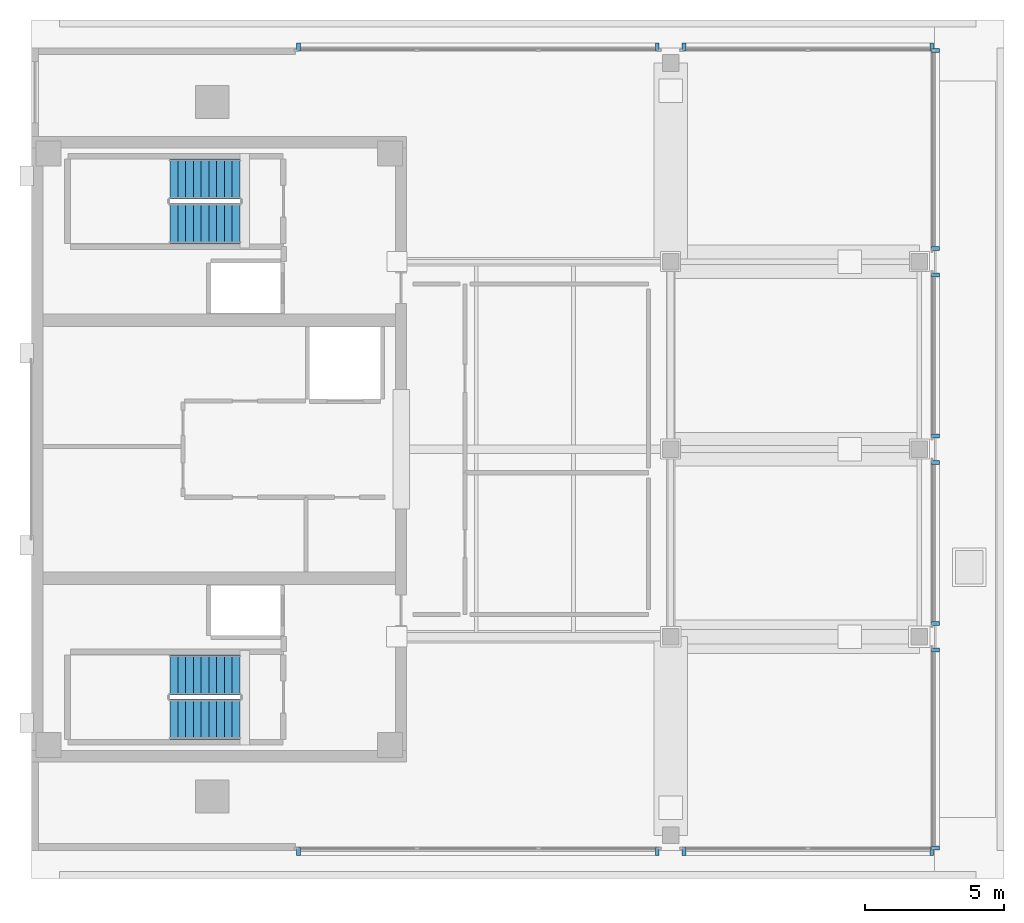
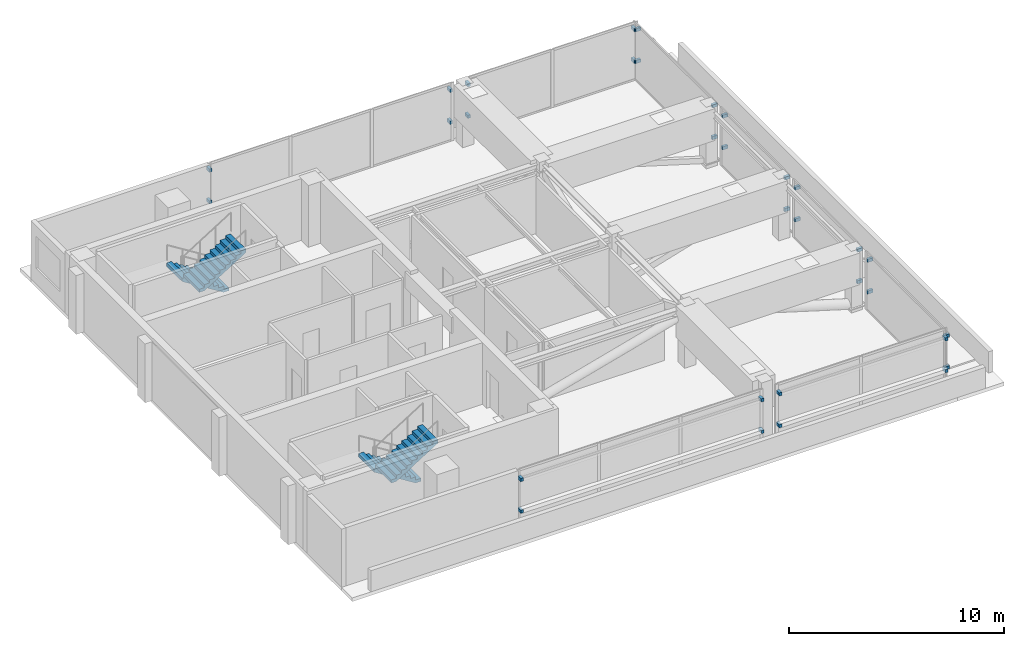
# One storey, part 6 of 10: 32 discrete accessories, 4 stair flights, 2 elements without a shape of their own.
"""IFC4 building model written with IfcOpenShell, lengths in metres."""

from ifc_helpers import new_model, si_unit, direction, frame, origin, origin_2d, place, context, subcontext, project, spatial, polyline, rectangle, outline, extrude, material, type_object, element, aggregate, save


model = new_model("IFC4")

# Units and contexts
model_context = context("Model", 3, precision=1e-05, world=origin(), true_north=direction((0.0, 1.0)))
body_context = subcontext(model_context, "Body", "Model", "MODEL_VIEW")
ifc_project = project(units=[si_unit("LENGTHUNIT", "METRE"), si_unit("AREAUNIT", "SQUARE_METRE"), si_unit("VOLUMEUNIT", "CUBIC_METRE"), si_unit("PLANEANGLEUNIT", "RADIAN"), si_unit("MASSUNIT", "GRAM", prefix="KILO")], contexts=[model_context])

# Site, building, storey
site_placement = place(None, origin())
site = spatial("IfcSite", under=ifc_project, at=site_placement, CompositionType="ELEMENT")
building_placement = place(site_placement, origin())
building = spatial("IfcBuilding", under=site, at=building_placement, Name="Kinhvarn Gate Tower", CompositionType="ELEMENT")
storey_placement = place(building_placement, frame((0.0, 0.0, 311.050048828125)))
storey = spatial("IfcBuildingStorey", under=building, at=storey_placement, Name="L82", CompositionType="ELEMENT", Elevation=311.050048828125)

# Stair, stair flights
ifc_material_1 = material(Name="Concrete C40/50", Category="concrete")
stair_type = type_object("IfcStairType", Name="STR-DLG-175", PredefinedType="HALF_TURN_STAIR", material=ifc_material_1)
stair_1_placement = place(storey_placement, origin())
stair_1 = element("IfcStair", 1, at=stair_1_placement, inside=storey, type_object=stair_type, Name="L82 Core Smokeproof Exit Stair ST1", PredefinedType="HALF_TURN_STAIR")
stair_flight_type = type_object("IfcStairFlightType", Name="STF-DLG-175", PredefinedType="STRAIGHT", material=ifc_material_1)
stair_flight_1_placement = place(storey_placement, frame((12.0, 17.125, 0.0), z_axis=(0.0, 0.0, 1.0), x_axis=(-1.0, 0.0, 0.0)))
stair_flight_1 = element("IfcStairFlight", 2, at=stair_flight_1_placement, type_object=stair_flight_type, Name="ST1 flight 1", NumberOfRisers=10, NumberOfTreads=9, PredefinedType="STRAIGHT", RiserHeight=0.175, TreadLength=0.28, context=body_context, shape_type="SweptSolid", body=[
    extrude(outline(polyline([(0.0, 0.0), (0.0, 0.175048828125), (0.280029296875, 0.175048828125), (0.280029296875, 0.35009765625), (0.56005859375, 0.35009765625), (0.56005859375, 0.52490234375), (0.840087890625, 0.52490234375), (0.840087890625, 0.699951171875), (1.1201171875, 0.699951171875), (1.1201171875, 0.875), (1.39990234375, 0.875), (1.39990234375, 1.050048828125), (1.679931640625, 1.050048828125), (1.679931640625, 1.22509765625), (1.9599609375, 1.22509765625), (1.9599609375, 1.39990234375), (2.239990234375, 1.39990234375), (2.239990234375, 1.574951171875), (2.52001953125, 1.574951171875), (2.52001953125, 1.75), (2.52001953125, 1.398193359375), (0.28271484375, 0.0), (0.0, 0.0)])), frame((0.0, 0.72509765625, 0.0), z_axis=(0.0, -1.0, 0.0), x_axis=(1.0, 0.0, 0.0)), (0.0, 0.0, 1.0), 1.449951171875),
])
stair_flight_2_placement = place(storey_placement, frame((9.47998046875, 15.52490234375, 1.75), z_axis=(0.0, 0.0, 1.0), x_axis=(1.0, 0.0, 0.0)))
stair_flight_2 = element("IfcStairFlight", 3, at=stair_flight_2_placement, type_object=stair_flight_type, Name="ST1 flight 2", NumberOfRisers=10, NumberOfTreads=9, PredefinedType="STRAIGHT", RiserHeight=0.175, TreadLength=0.28, context=body_context, shape_type="SweptSolid", body=[
    extrude(outline(polyline([(0.0, 0.0), (0.0, 0.175048828125), (0.280029296875, 0.175048828125), (0.280029296875, 0.35009765625), (0.56005859375, 0.35009765625), (0.56005859375, 0.52490234375), (0.840087890625, 0.52490234375), (0.840087890625, 0.699951171875), (1.1201171875, 0.699951171875), (1.1201171875, 0.875), (1.39990234375, 0.875), (1.39990234375, 1.050048828125), (1.679931640625, 1.050048828125), (1.679931640625, 1.22509765625), (1.9599609375, 1.22509765625), (1.9599609375, 1.39990234375), (2.239990234375, 1.39990234375), (2.239990234375, 1.574951171875), (2.52001953125, 1.574951171875), (2.52001953125, 1.75), (2.52001953125, 1.398193359375), (0.28271484375, 0.0), (0.0, 0.0)])), frame((0.0, 0.72509765625, 0.0), z_axis=(0.0, -1.0, 0.0), x_axis=(1.0, 0.0, 0.0)), (0.0, 0.0, 1.0), 1.449951171875),
])
aggregate(stair_1, [stair_flight_1, stair_flight_2])

stair_2_placement = place(storey_placement, origin())
stair_2 = element("IfcStair", 4, at=stair_2_placement, inside=storey, type_object=stair_type, Name="L82 Core Smokeproof Exit Stair ST2", PredefinedType="HALF_TURN_STAIR")
stair_flight_3_placement = place(storey_placement, frame((12.0, 34.97509765625, 0.0), z_axis=(0.0, 0.0, 1.0), x_axis=(-1.0, 0.0, 0.0)))
stair_flight_3 = element("IfcStairFlight", 5, at=stair_flight_3_placement, type_object=stair_flight_type, Name="ST2 flight 1", NumberOfRisers=10, NumberOfTreads=9, PredefinedType="STRAIGHT", RiserHeight=0.175, TreadLength=0.28, context=body_context, shape_type="SweptSolid", body=[
    extrude(outline(polyline([(0.0, 0.0), (0.0, 0.175048828125), (0.280029296875, 0.175048828125), (0.280029296875, 0.35009765625), (0.56005859375, 0.35009765625), (0.56005859375, 0.52490234375), (0.840087890625, 0.52490234375), (0.840087890625, 0.699951171875), (1.1201171875, 0.699951171875), (1.1201171875, 0.875), (1.39990234375, 0.875), (1.39990234375, 1.050048828125), (1.679931640625, 1.050048828125), (1.679931640625, 1.22509765625), (1.9599609375, 1.22509765625), (1.9599609375, 1.39990234375), (2.239990234375, 1.39990234375), (2.239990234375, 1.574951171875), (2.52001953125, 1.574951171875), (2.52001953125, 1.75), (2.52001953125, 1.398193359375), (0.28271484375, 0.0), (0.0, 0.0)])), frame((0.0, 0.72509765625, 0.0), z_axis=(0.0, -1.0, 0.0), x_axis=(1.0, 0.0, 0.0)), (0.0, 0.0, 1.0), 1.449951171875),
])
stair_flight_4_placement = place(storey_placement, frame((9.47998046875, 33.375, 1.75), z_axis=(0.0, 0.0, 1.0), x_axis=(1.0, 0.0, 0.0)))
stair_flight_4 = element("IfcStairFlight", 6, at=stair_flight_4_placement, type_object=stair_flight_type, Name="ST2 flight 2", NumberOfRisers=10, NumberOfTreads=9, PredefinedType="STRAIGHT", RiserHeight=0.175, TreadLength=0.28, context=body_context, shape_type="SweptSolid", body=[
    extrude(outline(polyline([(0.0, 0.0), (0.0, 0.175048828125), (0.280029296875, 0.175048828125), (0.280029296875, 0.35009765625), (0.56005859375, 0.35009765625), (0.56005859375, 0.52490234375), (0.840087890625, 0.52490234375), (0.840087890625, 0.699951171875), (1.1201171875, 0.699951171875), (1.1201171875, 0.875), (1.39990234375, 0.875), (1.39990234375, 1.050048828125), (1.679931640625, 1.050048828125), (1.679931640625, 1.22509765625), (1.9599609375, 1.22509765625), (1.9599609375, 1.39990234375), (2.239990234375, 1.39990234375), (2.239990234375, 1.574951171875), (2.52001953125, 1.574951171875), (2.52001953125, 1.75), (2.52001953125, 1.398193359375), (0.28271484375, 0.0), (0.0, 0.0)])), frame((0.0, 0.72509765625, 0.0), z_axis=(0.0, -1.0, 0.0), x_axis=(1.0, 0.0, 0.0)), (0.0, 0.0, 1.0), 1.449951171875),
])
aggregate(stair_2, [stair_flight_3, stair_flight_4])

# Discrete accessories
ifc_material_2 = material(Name="Anodised aluminium AW-6063", Category="aluminium")
discrete_accessory_type = type_object("IfcDiscreteAccessoryType", Name="ACC-BRK-01", PredefinedType="BRACKET", material=ifc_material_2)
for number, where, z_axis, x_axis, name in (
    (7, (14.10009765625, 10.77001953125, 0.9599609375), (0.0, 0.0, 1.0), (1.0, 0.0, 0.0), "Baguette Support Bracket BK-01 (L82)"),
    (8, (14.10009765625, 10.77001953125, 2.759765625), (0.0, 0.0, 1.0), (1.0, 0.0, 0.0), "Baguette Support Bracket BK-01 (L82)"),
    (9, (27.02001953125, 10.77001953125, 0.9599609375), (0.0, 0.0, 1.0), (1.0, 0.0, 0.0), "Baguette Support Bracket BK-01 (L82)"),
    (10, (27.02001953125, 10.77001953125, 2.759765625), (0.0, 0.0, 1.0), (1.0, 0.0, 0.0), "Baguette Support Bracket BK-01 (L82)"),
    (11, (27.97998046875, 10.77001953125, 0.9599609375), (0.0, 0.0, 1.0), (1.0, 0.0, 0.0), "Baguette Support Bracket BK-01 (L82)"),
    (12, (27.97998046875, 10.77001953125, 2.759765625), (0.0, 0.0, 1.0), (1.0, 0.0, 0.0), "Baguette Support Bracket BK-01 (L82)"),
    (13, (36.89990234375, 10.77001953125, 0.9599609375), (0.0, 0.0, 1.0), (1.0, 0.0, 0.0), "Baguette Support Bracket BK-01 (L82)"),
    (14, (36.89990234375, 10.77001953125, 2.759765625), (0.0, 0.0, 1.0), (1.0, 0.0, 0.0), "Baguette Support Bracket BK-01 (L82)"),
    (15, (36.89990234375, 39.72998046875, 0.9599609375), (0.0, 0.0, 1.0), (-1.0, 0.0, 0.0), "Baguette Support Bracket BK-01 (L82)"),
    (16, (36.89990234375, 39.72998046875, 2.759765625), (0.0, 0.0, 1.0), (-1.0, 0.0, 0.0), "Baguette Support Bracket BK-01 (L82)"),
    (17, (27.97998046875, 39.72998046875, 0.9599609375), (0.0, 0.0, 1.0), (-1.0, 0.0, 0.0), "Baguette Support Bracket BK-01 (L82)"),
    (18, (27.97998046875, 39.72998046875, 2.759765625), (0.0, 0.0, 1.0), (-1.0, 0.0, 0.0), "Baguette Support Bracket BK-01 (L82)"),
    (19, (27.02001953125, 39.72998046875, 0.9599609375), (0.0, 0.0, 1.0), (-1.0, 0.0, 0.0), "Baguette Support Bracket BK-01 (L82)"),
    (20, (27.02001953125, 39.72998046875, 2.759765625), (0.0, 0.0, 1.0), (-1.0, 0.0, 0.0), "Baguette Support Bracket BK-01 (L82)"),
    (21, (14.10009765625, 39.72998046875, 0.9599609375), (0.0, 0.0, 1.0), (-1.0, 0.0, 0.0), "Baguette Support Bracket BK-01 (L82)"),
    (22, (14.10009765625, 39.72998046875, 2.759765625), (0.0, 0.0, 1.0), (-1.0, 0.0, 0.0), "Baguette Support Bracket BK-01 (L82)"),
    (23, (37.030029296875, 10.89990234375, 0.9599609375), (0.0, 0.0, 1.0), (0.0, 1.0, 0.0), "Baguette Support Bracket BK-01 (L82)"),
    (24, (37.030029296875, 10.89990234375, 2.759765625), (0.0, 0.0, 1.0), (0.0, 1.0, 0.0), "Baguette Support Bracket BK-01 (L82)"),
    (25, (37.030029296875, 18.02001953125, 0.9599609375), (0.0, 0.0, 1.0), (0.0, 1.0, 0.0), "Baguette Support Bracket BK-01 (L82)"),
    (26, (37.030029296875, 18.02001953125, 2.759765625), (0.0, 0.0, 1.0), (0.0, 1.0, 0.0), "Baguette Support Bracket BK-01 (L82)"),
    (27, (37.030029296875, 18.97998046875, 0.9599609375), (0.0, 0.0, 1.0), (0.0, 1.0, 0.0), "Baguette Support Bracket BK-01 (L82)"),
    (28, (37.030029296875, 18.97998046875, 2.759765625), (0.0, 0.0, 1.0), (0.0, 1.0, 0.0), "Baguette Support Bracket BK-01 (L82)"),
    (29, (37.030029296875, 24.77001953125, 0.9599609375), (0.0, 0.0, 1.0), (0.0, 1.0, 0.0), "Baguette Support Bracket BK-01 (L82)"),
    (30, (37.030029296875, 24.77001953125, 2.759765625), (0.0, 0.0, 1.0), (0.0, 1.0, 0.0), "Baguette Support Bracket BK-01 (L82)"),
    (31, (37.030029296875, 25.72998046875, 0.9599609375), (0.0, 0.0, 1.0), (0.0, 1.0, 0.0), "Baguette Support Bracket BK-01 (L82)"),
    (32, (37.030029296875, 25.72998046875, 2.759765625), (0.0, 0.0, 1.0), (0.0, 1.0, 0.0), "Baguette Support Bracket BK-01 (L82)"),
    (33, (37.030029296875, 31.52001953125, 0.9599609375), (0.0, 0.0, 1.0), (0.0, 1.0, 0.0), "Baguette Support Bracket BK-01 (L82)"),
    (34, (37.030029296875, 31.52001953125, 2.759765625), (0.0, 0.0, 1.0), (0.0, 1.0, 0.0), "Baguette Support Bracket BK-01 (L82)"),
    (35, (37.030029296875, 32.47998046875, 0.9599609375), (0.0, 0.0, 1.0), (0.0, 1.0, 0.0), "Baguette Support Bracket BK-01 (L82)"),
    (36, (37.030029296875, 32.47998046875, 2.759765625), (0.0, 0.0, 1.0), (0.0, 1.0, 0.0), "Baguette Support Bracket BK-01 (L82)"),
    (37, (37.030029296875, 39.60009765625, 0.9599609375), (0.0, 0.0, 1.0), (0.0, 1.0, 0.0), "Baguette Support Bracket BK-01 (L82)"),
    (38, (37.030029296875, 39.60009765625, 2.759765625), (0.0, 0.0, 1.0), (0.0, 1.0, 0.0), "Baguette Support Bracket BK-01 (L82)"),
):
    element("IfcDiscreteAccessory", number, at=place(storey_placement, frame(where, z_axis=z_axis, x_axis=x_axis)), inside=storey, type_object=discrete_accessory_type, Name=name, PredefinedType="BRACKET", context=body_context, shape_type="SweptSolid", body=[
        extrude(rectangle(XDim=0.139892578125, YDim=0.280029296875, at=origin_2d()), origin(), (0.0, 0.0, 1.0), 0.179931640625),
    ])

save(model, "model.ifc")
